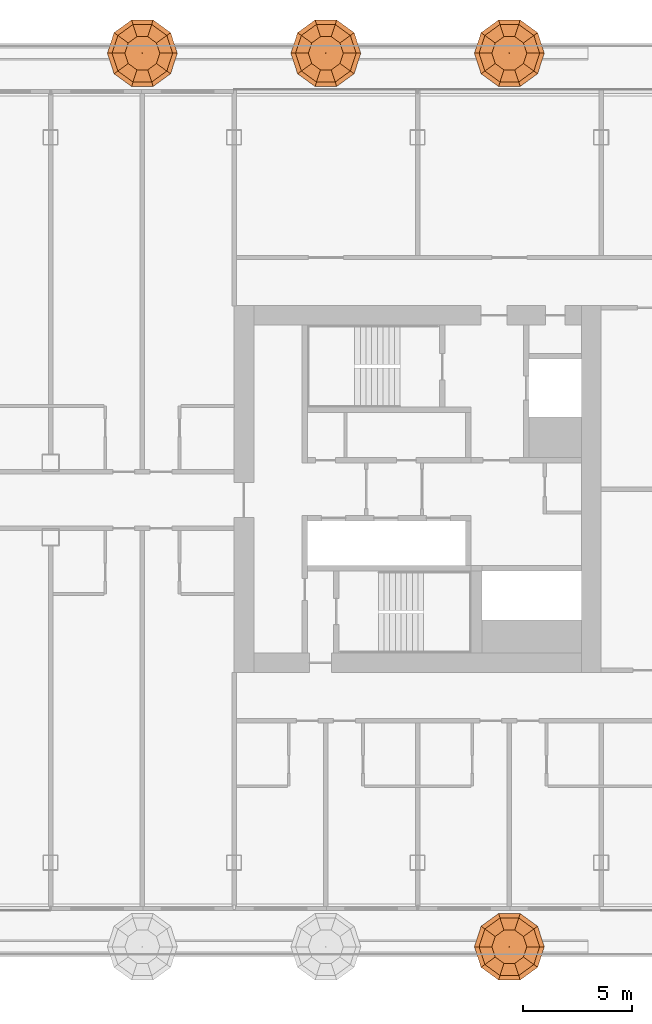
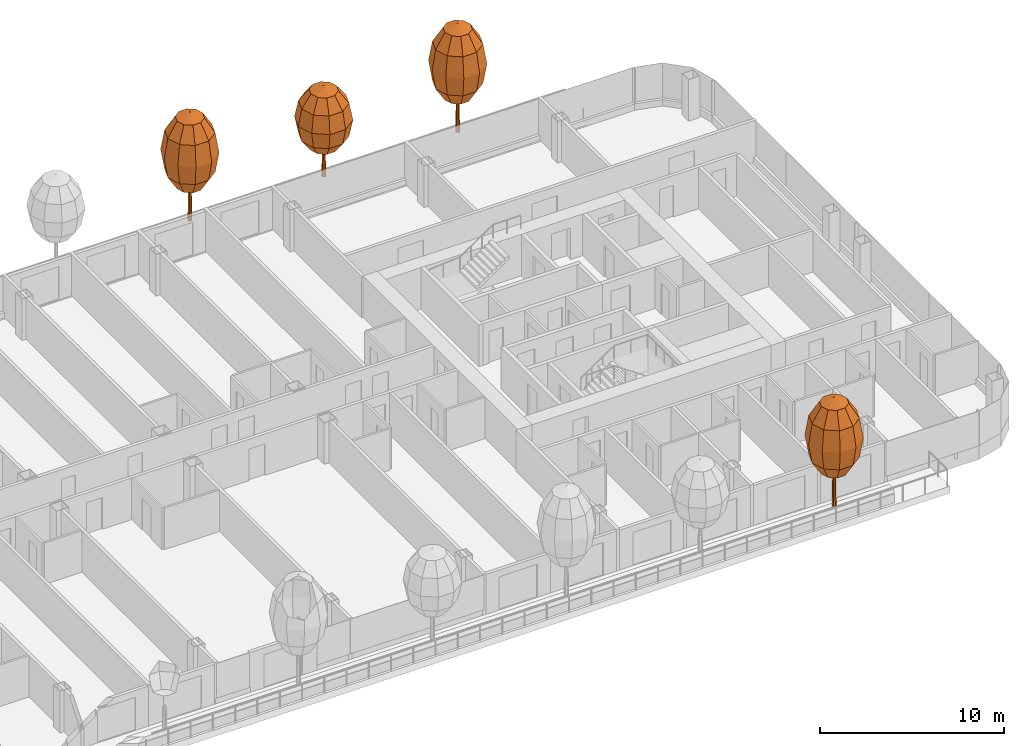
# One storey, part 32 of 32: 4 geographic elements.
"""IFC4 building model written with IfcOpenShell, lengths in metres."""

from ifc_helpers import new_model, si_unit, direction, frame, origin, place, context, subcontext, project, spatial, triangles, material, type_object, element, save


model = new_model("IFC4")

# Units and contexts
model_context = context("Model", 3, precision=1e-05, world=origin(), true_north=direction((0.0, 1.0)))
body_context = subcontext(model_context, "Body", "Model", "MODEL_VIEW")
ifc_project = project(units=[si_unit("LENGTHUNIT", "METRE"), si_unit("AREAUNIT", "SQUARE_METRE"), si_unit("VOLUMEUNIT", "CUBIC_METRE"), si_unit("PLANEANGLEUNIT", "RADIAN"), si_unit("MASSUNIT", "GRAM", prefix="KILO")], contexts=[model_context])

# Site, building, storey
site_placement = place(None, origin())
site = spatial("IfcSite", under=ifc_project, at=site_placement, CompositionType="ELEMENT")
building_placement = place(site_placement, origin())
building = spatial("IfcBuilding", under=site, at=building_placement, Name="Hakoniwa Tower and Hamabe Station Hall", CompositionType="ELEMENT")
storey_placement = place(building_placement, frame((0.0, 0.0, 150.199951171875)))
storey = spatial("IfcBuildingStorey", under=building, at=storey_placement, Name="L42", CompositionType="ELEMENT", Elevation=150.199951171875)

# Geographic elements
ifc_material_1 = material(Name="Tree foliage")
geographic_element_type_1 = type_object("IfcGeographicElementType", Name="Japanese maple 7.2 m", PredefinedType="USERDEFINED", material=ifc_material_1)
geographic_element_1_placement = place(storey_placement, frame((12.60009765625, 19.949951171875, 0.900146484375)))
element("IfcGeographicElement", 1, at=geographic_element_1_placement, inside=storey, type_object=geographic_element_type_1, Name="Japanese maple 7-2 m", ObjectType="TREE", PredefinedType="USERDEFINED", context=body_context, shape_type="Tessellation", body=[
    triangles([(0.125, 0.0, 0.0), (0.08837890625, 0.08837890625, 0.0), (0.0, 0.125, 0.0), (-0.08837890625, 0.08837890625, 0.0), (-0.125, 0.0, 0.0), (-0.08837890625, -0.08837890625, 0.0), (0.0, -0.125, 0.0), (0.08837890625, -0.08837890625, 0.0), (0.074951171875, 0.0, 4.348876953125), (0.052978515625, 0.052978515625, 4.348876953125), (0.0, 0.074951171875, 4.348876953125), (-0.052978515625, 0.052978515625, 4.348876953125), (-0.074951171875, 0.0, 4.348876953125), (-0.052978515625, -0.052978515625, 4.348876953125), (0.0, -0.074951171875, 4.348876953125), (0.052978515625, -0.052978515625, 4.348876953125), (0.0, 0.0, 0.0), (0.0, 0.0, 4.348876953125)], [[1, 2, 10], [1, 10, 9], [17, 2, 1], [18, 9, 10], [2, 3, 11], [2, 11, 10], [17, 3, 2], [18, 10, 11], [3, 4, 12], [3, 12, 11], [17, 4, 3], [18, 11, 12], [4, 5, 13], [4, 13, 12], [17, 5, 4], [18, 12, 13], [5, 6, 14], [5, 14, 13], [17, 6, 5], [18, 13, 14], [6, 7, 15], [6, 15, 14], [17, 7, 6], [18, 14, 15], [7, 8, 16], [7, 16, 15], [17, 8, 7], [18, 15, 16], [8, 1, 9], [8, 9, 16], [17, 1, 8], [18, 16, 9]], closed=True),
    triangles([(0.0, 0.0, 2.015869140625), (0.800048828125, 0.0, 2.36328125), (0.647216796875, 0.47021484375, 2.36328125), (0.247314453125, 0.7607421875, 2.36328125), (-0.247314453125, 0.7607421875, 2.36328125), (-0.647216796875, 0.47021484375, 2.36328125), (-0.800048828125, 0.0, 2.36328125), (-0.647216796875, -0.47021484375, 2.36328125), (-0.247314453125, -0.7607421875, 2.36328125), (0.247314453125, -0.7607421875, 2.36328125), (0.647216796875, -0.47021484375, 2.36328125), (1.385498046875, 0.0, 3.31201171875), (1.12109375, 0.814453125, 3.31201171875), (0.42822265625, 1.31787109375, 3.31201171875), (-0.42822265625, 1.31787109375, 3.31201171875), (-1.12109375, 0.814453125, 3.31201171875), (-1.385498046875, 0.0, 3.31201171875), (-1.12109375, -0.814453125, 3.31201171875), (-0.42822265625, -1.31787109375, 3.31201171875), (0.42822265625, -1.31787109375, 3.31201171875), (1.12109375, -0.814453125, 3.31201171875), (1.60009765625, 0.0, 4.60791015625), (1.29443359375, 0.9404296875, 4.60791015625), (0.494384765625, 1.521728515625, 4.60791015625), (-0.494384765625, 1.521728515625, 4.60791015625), (-1.29443359375, 0.9404296875, 4.60791015625), (-1.60009765625, 0.0, 4.60791015625), (-1.29443359375, -0.9404296875, 4.60791015625), (-0.494384765625, -1.521728515625, 4.60791015625), (0.494384765625, -1.521728515625, 4.60791015625), (1.29443359375, -0.9404296875, 4.60791015625), (1.385498046875, 0.0, 5.904052734375), (1.12109375, 0.814453125, 5.904052734375), (0.42822265625, 1.31787109375, 5.904052734375), (-0.42822265625, 1.31787109375, 5.904052734375), (-1.12109375, 0.814453125, 5.904052734375), (-1.385498046875, 0.0, 5.904052734375), (-1.12109375, -0.814453125, 5.904052734375), (-0.42822265625, -1.31787109375, 5.904052734375), (0.42822265625, -1.31787109375, 5.904052734375), (1.12109375, -0.814453125, 5.904052734375), (0.800048828125, 0.0, 6.852783203125), (0.647216796875, 0.47021484375, 6.852783203125), (0.247314453125, 0.7607421875, 6.852783203125), (-0.247314453125, 0.7607421875, 6.852783203125), (-0.647216796875, 0.47021484375, 6.852783203125), (-0.800048828125, 0.0, 6.852783203125), (-0.647216796875, -0.47021484375, 6.852783203125), (-0.247314453125, -0.7607421875, 6.852783203125), (0.247314453125, -0.7607421875, 6.852783203125), (0.647216796875, -0.47021484375, 6.852783203125), (0.0, 0.0, 7.199951171875)], [[1, 3, 2], [1, 4, 3], [1, 5, 4], [1, 6, 5], [1, 7, 6], [1, 8, 7], [1, 9, 8], [1, 10, 9], [1, 11, 10], [1, 2, 11], [2, 3, 13], [2, 13, 12], [3, 4, 14], [3, 14, 13], [4, 5, 15], [4, 15, 14], [5, 6, 16], [5, 16, 15], [6, 7, 17], [6, 17, 16], [7, 8, 18], [7, 18, 17], [8, 9, 19], [8, 19, 18], [9, 10, 20], [9, 20, 19], [10, 11, 21], [10, 21, 20], [11, 2, 12], [11, 12, 21], [12, 13, 23], [12, 23, 22], [13, 14, 24], [13, 24, 23], [14, 15, 25], [14, 25, 24], [15, 16, 26], [15, 26, 25], [16, 17, 27], [16, 27, 26], [17, 18, 28], [17, 28, 27], [18, 19, 29], [18, 29, 28], [19, 20, 30], [19, 30, 29], [20, 21, 31], [20, 31, 30], [21, 12, 22], [21, 22, 31], [22, 23, 33], [22, 33, 32], [23, 24, 34], [23, 34, 33], [24, 25, 35], [24, 35, 34], [25, 26, 36], [25, 36, 35], [26, 27, 37], [26, 37, 36], [27, 28, 38], [27, 38, 37], [28, 29, 39], [28, 39, 38], [29, 30, 40], [29, 40, 39], [30, 31, 41], [30, 41, 40], [31, 22, 32], [31, 32, 41], [32, 33, 43], [32, 43, 42], [33, 34, 44], [33, 44, 43], [34, 35, 45], [34, 45, 44], [35, 36, 46], [35, 46, 45], [36, 37, 47], [36, 47, 46], [37, 38, 48], [37, 48, 47], [38, 39, 49], [38, 49, 48], [39, 40, 50], [39, 50, 49], [40, 41, 51], [40, 51, 50], [41, 32, 42], [41, 42, 51], [52, 42, 43], [52, 43, 44], [52, 44, 45], [52, 45, 46], [52, 46, 47], [52, 47, 48], [52, 48, 49], [52, 49, 50], [52, 50, 51], [52, 51, 42]], closed=True),
])
geographic_element_2_placement = place(storey_placement, frame((29.39990234375, 19.949951171875, 0.900146484375)))
element("IfcGeographicElement", 2, at=geographic_element_2_placement, inside=storey, type_object=geographic_element_type_1, Name="Japanese maple 7-2 m", ObjectType="TREE", PredefinedType="USERDEFINED", context=body_context, shape_type="Tessellation", body=[
    triangles([(0.125, 0.0, 0.0), (0.08837890625, 0.08837890625, 0.0), (0.0, 0.125, 0.0), (-0.08837890625, 0.08837890625, 0.0), (-0.125, 0.0, 0.0), (-0.08837890625, -0.08837890625, 0.0), (0.0, -0.125, 0.0), (0.08837890625, -0.08837890625, 0.0), (0.074951171875, 0.0, 4.348876953125), (0.052978515625, 0.052978515625, 4.348876953125), (0.0, 0.074951171875, 4.348876953125), (-0.052978515625, 0.052978515625, 4.348876953125), (-0.074951171875, 0.0, 4.348876953125), (-0.052978515625, -0.052978515625, 4.348876953125), (0.0, -0.074951171875, 4.348876953125), (0.052978515625, -0.052978515625, 4.348876953125), (0.0, 0.0, 0.0), (0.0, 0.0, 4.348876953125)], [[1, 2, 10], [1, 10, 9], [17, 2, 1], [18, 9, 10], [2, 3, 11], [2, 11, 10], [17, 3, 2], [18, 10, 11], [3, 4, 12], [3, 12, 11], [17, 4, 3], [18, 11, 12], [4, 5, 13], [4, 13, 12], [17, 5, 4], [18, 12, 13], [5, 6, 14], [5, 14, 13], [17, 6, 5], [18, 13, 14], [6, 7, 15], [6, 15, 14], [17, 7, 6], [18, 14, 15], [7, 8, 16], [7, 16, 15], [17, 8, 7], [18, 15, 16], [8, 1, 9], [8, 9, 16], [17, 1, 8], [18, 16, 9]], closed=True),
    triangles([(0.0, 0.0, 2.015869140625), (0.800048828125, 0.0, 2.36328125), (0.647216796875, 0.47021484375, 2.36328125), (0.247314453125, 0.7607421875, 2.36328125), (-0.247314453125, 0.7607421875, 2.36328125), (-0.647216796875, 0.47021484375, 2.36328125), (-0.800048828125, 0.0, 2.36328125), (-0.647216796875, -0.47021484375, 2.36328125), (-0.247314453125, -0.7607421875, 2.36328125), (0.247314453125, -0.7607421875, 2.36328125), (0.647216796875, -0.47021484375, 2.36328125), (1.385498046875, 0.0, 3.31201171875), (1.12109375, 0.814453125, 3.31201171875), (0.42822265625, 1.31787109375, 3.31201171875), (-0.42822265625, 1.31787109375, 3.31201171875), (-1.12109375, 0.814453125, 3.31201171875), (-1.385498046875, 0.0, 3.31201171875), (-1.12109375, -0.814453125, 3.31201171875), (-0.42822265625, -1.31787109375, 3.31201171875), (0.42822265625, -1.31787109375, 3.31201171875), (1.12109375, -0.814453125, 3.31201171875), (1.60009765625, 0.0, 4.60791015625), (1.29443359375, 0.9404296875, 4.60791015625), (0.494384765625, 1.521728515625, 4.60791015625), (-0.494384765625, 1.521728515625, 4.60791015625), (-1.29443359375, 0.9404296875, 4.60791015625), (-1.60009765625, 0.0, 4.60791015625), (-1.29443359375, -0.9404296875, 4.60791015625), (-0.494384765625, -1.521728515625, 4.60791015625), (0.494384765625, -1.521728515625, 4.60791015625), (1.29443359375, -0.9404296875, 4.60791015625), (1.385498046875, 0.0, 5.904052734375), (1.12109375, 0.814453125, 5.904052734375), (0.42822265625, 1.31787109375, 5.904052734375), (-0.42822265625, 1.31787109375, 5.904052734375), (-1.12109375, 0.814453125, 5.904052734375), (-1.385498046875, 0.0, 5.904052734375), (-1.12109375, -0.814453125, 5.904052734375), (-0.42822265625, -1.31787109375, 5.904052734375), (0.42822265625, -1.31787109375, 5.904052734375), (1.12109375, -0.814453125, 5.904052734375), (0.800048828125, 0.0, 6.852783203125), (0.647216796875, 0.47021484375, 6.852783203125), (0.247314453125, 0.7607421875, 6.852783203125), (-0.247314453125, 0.7607421875, 6.852783203125), (-0.647216796875, 0.47021484375, 6.852783203125), (-0.800048828125, 0.0, 6.852783203125), (-0.647216796875, -0.47021484375, 6.852783203125), (-0.247314453125, -0.7607421875, 6.852783203125), (0.247314453125, -0.7607421875, 6.852783203125), (0.647216796875, -0.47021484375, 6.852783203125), (0.0, 0.0, 7.199951171875)], [[1, 3, 2], [1, 4, 3], [1, 5, 4], [1, 6, 5], [1, 7, 6], [1, 8, 7], [1, 9, 8], [1, 10, 9], [1, 11, 10], [1, 2, 11], [2, 3, 13], [2, 13, 12], [3, 4, 14], [3, 14, 13], [4, 5, 15], [4, 15, 14], [5, 6, 16], [5, 16, 15], [6, 7, 17], [6, 17, 16], [7, 8, 18], [7, 18, 17], [8, 9, 19], [8, 19, 18], [9, 10, 20], [9, 20, 19], [10, 11, 21], [10, 21, 20], [11, 2, 12], [11, 12, 21], [12, 13, 23], [12, 23, 22], [13, 14, 24], [13, 24, 23], [14, 15, 25], [14, 25, 24], [15, 16, 26], [15, 26, 25], [16, 17, 27], [16, 27, 26], [17, 18, 28], [17, 28, 27], [18, 19, 29], [18, 29, 28], [19, 20, 30], [19, 30, 29], [20, 21, 31], [20, 31, 30], [21, 12, 22], [21, 22, 31], [22, 23, 33], [22, 33, 32], [23, 24, 34], [23, 34, 33], [24, 25, 35], [24, 35, 34], [25, 26, 36], [25, 36, 35], [26, 27, 37], [26, 37, 36], [27, 28, 38], [27, 38, 37], [28, 29, 39], [28, 39, 38], [29, 30, 40], [29, 40, 39], [30, 31, 41], [30, 41, 40], [31, 22, 32], [31, 32, 41], [32, 33, 43], [32, 43, 42], [33, 34, 44], [33, 44, 43], [34, 35, 45], [34, 45, 44], [35, 36, 46], [35, 46, 45], [36, 37, 47], [36, 47, 46], [37, 38, 48], [37, 48, 47], [38, 39, 49], [38, 49, 48], [39, 40, 50], [39, 50, 49], [40, 41, 51], [40, 51, 50], [41, 32, 42], [41, 42, 51], [52, 42, 43], [52, 43, 44], [52, 44, 45], [52, 45, 46], [52, 46, 47], [52, 47, 48], [52, 48, 49], [52, 49, 50], [52, 50, 51], [52, 51, 42]], closed=True),
])
geographic_element_3_placement = place(storey_placement, frame((29.39990234375, -20.949951171875, 0.900146484375)))
element("IfcGeographicElement", 3, at=geographic_element_3_placement, inside=storey, type_object=geographic_element_type_1, Name="Japanese maple 7-2 m", ObjectType="TREE", PredefinedType="USERDEFINED", context=body_context, shape_type="Tessellation", body=[
    triangles([(0.125, 0.0, 0.0), (0.08837890625, 0.08837890625, 0.0), (0.0, 0.125, 0.0), (-0.08837890625, 0.08837890625, 0.0), (-0.125, 0.0, 0.0), (-0.08837890625, -0.08837890625, 0.0), (0.0, -0.125, 0.0), (0.08837890625, -0.08837890625, 0.0), (0.074951171875, 0.0, 4.348876953125), (0.052978515625, 0.052978515625, 4.348876953125), (0.0, 0.074951171875, 4.348876953125), (-0.052978515625, 0.052978515625, 4.348876953125), (-0.074951171875, 0.0, 4.348876953125), (-0.052978515625, -0.052978515625, 4.348876953125), (0.0, -0.074951171875, 4.348876953125), (0.052978515625, -0.052978515625, 4.348876953125), (0.0, 0.0, 0.0), (0.0, 0.0, 4.348876953125)], [[1, 2, 10], [1, 10, 9], [17, 2, 1], [18, 9, 10], [2, 3, 11], [2, 11, 10], [17, 3, 2], [18, 10, 11], [3, 4, 12], [3, 12, 11], [17, 4, 3], [18, 11, 12], [4, 5, 13], [4, 13, 12], [17, 5, 4], [18, 12, 13], [5, 6, 14], [5, 14, 13], [17, 6, 5], [18, 13, 14], [6, 7, 15], [6, 15, 14], [17, 7, 6], [18, 14, 15], [7, 8, 16], [7, 16, 15], [17, 8, 7], [18, 15, 16], [8, 1, 9], [8, 9, 16], [17, 1, 8], [18, 16, 9]], closed=True),
    triangles([(0.0, 0.0, 2.015869140625), (0.800048828125, 0.0, 2.36328125), (0.647216796875, 0.47021484375, 2.36328125), (0.247314453125, 0.7607421875, 2.36328125), (-0.247314453125, 0.7607421875, 2.36328125), (-0.647216796875, 0.47021484375, 2.36328125), (-0.800048828125, 0.0, 2.36328125), (-0.647216796875, -0.47021484375, 2.36328125), (-0.247314453125, -0.7607421875, 2.36328125), (0.247314453125, -0.7607421875, 2.36328125), (0.647216796875, -0.47021484375, 2.36328125), (1.385498046875, 0.0, 3.31201171875), (1.12109375, 0.814453125, 3.31201171875), (0.42822265625, 1.31787109375, 3.31201171875), (-0.42822265625, 1.31787109375, 3.31201171875), (-1.12109375, 0.814453125, 3.31201171875), (-1.385498046875, 0.0, 3.31201171875), (-1.12109375, -0.814453125, 3.31201171875), (-0.42822265625, -1.31787109375, 3.31201171875), (0.42822265625, -1.31787109375, 3.31201171875), (1.12109375, -0.814453125, 3.31201171875), (1.60009765625, 0.0, 4.60791015625), (1.29443359375, 0.9404296875, 4.60791015625), (0.494384765625, 1.521728515625, 4.60791015625), (-0.494384765625, 1.521728515625, 4.60791015625), (-1.29443359375, 0.9404296875, 4.60791015625), (-1.60009765625, 0.0, 4.60791015625), (-1.29443359375, -0.9404296875, 4.60791015625), (-0.494384765625, -1.521728515625, 4.60791015625), (0.494384765625, -1.521728515625, 4.60791015625), (1.29443359375, -0.9404296875, 4.60791015625), (1.385498046875, 0.0, 5.904052734375), (1.12109375, 0.814453125, 5.904052734375), (0.42822265625, 1.31787109375, 5.904052734375), (-0.42822265625, 1.31787109375, 5.904052734375), (-1.12109375, 0.814453125, 5.904052734375), (-1.385498046875, 0.0, 5.904052734375), (-1.12109375, -0.814453125, 5.904052734375), (-0.42822265625, -1.31787109375, 5.904052734375), (0.42822265625, -1.31787109375, 5.904052734375), (1.12109375, -0.814453125, 5.904052734375), (0.800048828125, 0.0, 6.852783203125), (0.647216796875, 0.47021484375, 6.852783203125), (0.247314453125, 0.7607421875, 6.852783203125), (-0.247314453125, 0.7607421875, 6.852783203125), (-0.647216796875, 0.47021484375, 6.852783203125), (-0.800048828125, 0.0, 6.852783203125), (-0.647216796875, -0.47021484375, 6.852783203125), (-0.247314453125, -0.7607421875, 6.852783203125), (0.247314453125, -0.7607421875, 6.852783203125), (0.647216796875, -0.47021484375, 6.852783203125), (0.0, 0.0, 7.199951171875)], [[1, 3, 2], [1, 4, 3], [1, 5, 4], [1, 6, 5], [1, 7, 6], [1, 8, 7], [1, 9, 8], [1, 10, 9], [1, 11, 10], [1, 2, 11], [2, 3, 13], [2, 13, 12], [3, 4, 14], [3, 14, 13], [4, 5, 15], [4, 15, 14], [5, 6, 16], [5, 16, 15], [6, 7, 17], [6, 17, 16], [7, 8, 18], [7, 18, 17], [8, 9, 19], [8, 19, 18], [9, 10, 20], [9, 20, 19], [10, 11, 21], [10, 21, 20], [11, 2, 12], [11, 12, 21], [12, 13, 23], [12, 23, 22], [13, 14, 24], [13, 24, 23], [14, 15, 25], [14, 25, 24], [15, 16, 26], [15, 26, 25], [16, 17, 27], [16, 27, 26], [17, 18, 28], [17, 28, 27], [18, 19, 29], [18, 29, 28], [19, 20, 30], [19, 30, 29], [20, 21, 31], [20, 31, 30], [21, 12, 22], [21, 22, 31], [22, 23, 33], [22, 33, 32], [23, 24, 34], [23, 34, 33], [24, 25, 35], [24, 35, 34], [25, 26, 36], [25, 36, 35], [26, 27, 37], [26, 37, 36], [27, 28, 38], [27, 38, 37], [28, 29, 39], [28, 39, 38], [29, 30, 40], [29, 40, 39], [30, 31, 41], [30, 41, 40], [31, 22, 32], [31, 32, 41], [32, 33, 43], [32, 43, 42], [33, 34, 44], [33, 44, 43], [34, 35, 45], [34, 45, 44], [35, 36, 46], [35, 46, 45], [36, 37, 47], [36, 47, 46], [37, 38, 48], [37, 48, 47], [38, 39, 49], [38, 49, 48], [39, 40, 50], [39, 50, 49], [40, 41, 51], [40, 51, 50], [41, 32, 42], [41, 42, 51], [52, 42, 43], [52, 43, 44], [52, 44, 45], [52, 45, 46], [52, 46, 47], [52, 47, 48], [52, 48, 49], [52, 49, 50], [52, 50, 51], [52, 51, 42]], closed=True),
])
ifc_material_2 = material(Name="Tree foliage")
geographic_element_type_2 = type_object("IfcGeographicElementType", Name="Osmanthus 6.0 m", PredefinedType="USERDEFINED", material=ifc_material_2)
geographic_element_4_placement = place(storey_placement, frame((21.0, 19.949951171875, 0.900146484375)))
element("IfcGeographicElement", 4, at=geographic_element_4_placement, inside=storey, type_object=geographic_element_type_2, Name="Osmanthus 6-0 m", ObjectType="TREE", PredefinedType="USERDEFINED", context=body_context, shape_type="Tessellation", body=[
    triangles([(0.125, 0.0, 0.0), (0.08837890625, 0.08837890625, 0.0), (0.0, 0.125, 0.0), (-0.08837890625, 0.08837890625, 0.0), (-0.125, 0.0, 0.0), (-0.08837890625, -0.08837890625, 0.0), (0.0, -0.125, 0.0), (0.08837890625, -0.08837890625, 0.0), (0.074951171875, 0.0, 3.6240234375), (0.052978515625, 0.052978515625, 3.6240234375), (0.0, 0.074951171875, 3.6240234375), (-0.052978515625, 0.052978515625, 3.6240234375), (-0.074951171875, 0.0, 3.6240234375), (-0.052978515625, -0.052978515625, 3.6240234375), (0.0, -0.074951171875, 3.6240234375), (0.052978515625, -0.052978515625, 3.6240234375), (0.0, 0.0, 0.0), (0.0, 0.0, 3.6240234375)], [[1, 2, 10], [1, 10, 9], [17, 2, 1], [18, 9, 10], [2, 3, 11], [2, 11, 10], [17, 3, 2], [18, 10, 11], [3, 4, 12], [3, 12, 11], [17, 4, 3], [18, 11, 12], [4, 5, 13], [4, 13, 12], [17, 5, 4], [18, 12, 13], [5, 6, 14], [5, 14, 13], [17, 6, 5], [18, 13, 14], [6, 7, 15], [6, 15, 14], [17, 7, 6], [18, 14, 15], [7, 8, 16], [7, 16, 15], [17, 8, 7], [18, 15, 16], [8, 1, 9], [8, 9, 16], [17, 1, 8], [18, 16, 9]], closed=True),
    triangles([(0.0, 0.0, 1.679931640625), (0.800048828125, 0.0, 1.969482421875), (0.647216796875, 0.47021484375, 1.969482421875), (0.247314453125, 0.7607421875, 1.969482421875), (-0.247314453125, 0.7607421875, 1.969482421875), (-0.647216796875, 0.47021484375, 1.969482421875), (-0.800048828125, 0.0, 1.969482421875), (-0.647216796875, -0.47021484375, 1.969482421875), (-0.247314453125, -0.7607421875, 1.969482421875), (0.247314453125, -0.7607421875, 1.969482421875), (0.647216796875, -0.47021484375, 1.969482421875), (1.385498046875, 0.0, 2.760009765625), (1.12109375, 0.814453125, 2.760009765625), (0.42822265625, 1.31787109375, 2.760009765625), (-0.42822265625, 1.31787109375, 2.760009765625), (-1.12109375, 0.814453125, 2.760009765625), (-1.385498046875, 0.0, 2.760009765625), (-1.12109375, -0.814453125, 2.760009765625), (-0.42822265625, -1.31787109375, 2.760009765625), (0.42822265625, -1.31787109375, 2.760009765625), (1.12109375, -0.814453125, 2.760009765625), (1.60009765625, 0.0, 3.840087890625), (1.29443359375, 0.9404296875, 3.840087890625), (0.494384765625, 1.521728515625, 3.840087890625), (-0.494384765625, 1.521728515625, 3.840087890625), (-1.29443359375, 0.9404296875, 3.840087890625), (-1.60009765625, 0.0, 3.840087890625), (-1.29443359375, -0.9404296875, 3.840087890625), (-0.494384765625, -1.521728515625, 3.840087890625), (0.494384765625, -1.521728515625, 3.840087890625), (1.29443359375, -0.9404296875, 3.840087890625), (1.385498046875, 0.0, 4.919921875), (1.12109375, 0.814453125, 4.919921875), (0.42822265625, 1.31787109375, 4.919921875), (-0.42822265625, 1.31787109375, 4.919921875), (-1.12109375, 0.814453125, 4.919921875), (-1.385498046875, 0.0, 4.919921875), (-1.12109375, -0.814453125, 4.919921875), (-0.42822265625, -1.31787109375, 4.919921875), (0.42822265625, -1.31787109375, 4.919921875), (1.12109375, -0.814453125, 4.919921875), (0.800048828125, 0.0, 5.710693359375), (0.647216796875, 0.47021484375, 5.710693359375), (0.247314453125, 0.7607421875, 5.710693359375), (-0.247314453125, 0.7607421875, 5.710693359375), (-0.647216796875, 0.47021484375, 5.710693359375), (-0.800048828125, 0.0, 5.710693359375), (-0.647216796875, -0.47021484375, 5.710693359375), (-0.247314453125, -0.7607421875, 5.710693359375), (0.247314453125, -0.7607421875, 5.710693359375), (0.647216796875, -0.47021484375, 5.710693359375), (0.0, 0.0, 6.0)], [[1, 3, 2], [1, 4, 3], [1, 5, 4], [1, 6, 5], [1, 7, 6], [1, 8, 7], [1, 9, 8], [1, 10, 9], [1, 11, 10], [1, 2, 11], [2, 3, 13], [2, 13, 12], [3, 4, 14], [3, 14, 13], [4, 5, 15], [4, 15, 14], [5, 6, 16], [5, 16, 15], [6, 7, 17], [6, 17, 16], [7, 8, 18], [7, 18, 17], [8, 9, 19], [8, 19, 18], [9, 10, 20], [9, 20, 19], [10, 11, 21], [10, 21, 20], [11, 2, 12], [11, 12, 21], [12, 13, 23], [12, 23, 22], [13, 14, 24], [13, 24, 23], [14, 15, 25], [14, 25, 24], [15, 16, 26], [15, 26, 25], [16, 17, 27], [16, 27, 26], [17, 18, 28], [17, 28, 27], [18, 19, 29], [18, 29, 28], [19, 20, 30], [19, 30, 29], [20, 21, 31], [20, 31, 30], [21, 12, 22], [21, 22, 31], [22, 23, 33], [22, 33, 32], [23, 24, 34], [23, 34, 33], [24, 25, 35], [24, 35, 34], [25, 26, 36], [25, 36, 35], [26, 27, 37], [26, 37, 36], [27, 28, 38], [27, 38, 37], [28, 29, 39], [28, 39, 38], [29, 30, 40], [29, 40, 39], [30, 31, 41], [30, 41, 40], [31, 22, 32], [31, 32, 41], [32, 33, 43], [32, 43, 42], [33, 34, 44], [33, 44, 43], [34, 35, 45], [34, 45, 44], [35, 36, 46], [35, 46, 45], [36, 37, 47], [36, 47, 46], [37, 38, 48], [37, 48, 47], [38, 39, 49], [38, 49, 48], [39, 40, 50], [39, 50, 49], [40, 41, 51], [40, 51, 50], [41, 32, 42], [41, 42, 51], [52, 42, 43], [52, 43, 44], [52, 44, 45], [52, 45, 46], [52, 46, 47], [52, 47, 48], [52, 48, 49], [52, 49, 50], [52, 50, 51], [52, 51, 42]], closed=True),
])

save(model, "model.ifc")
